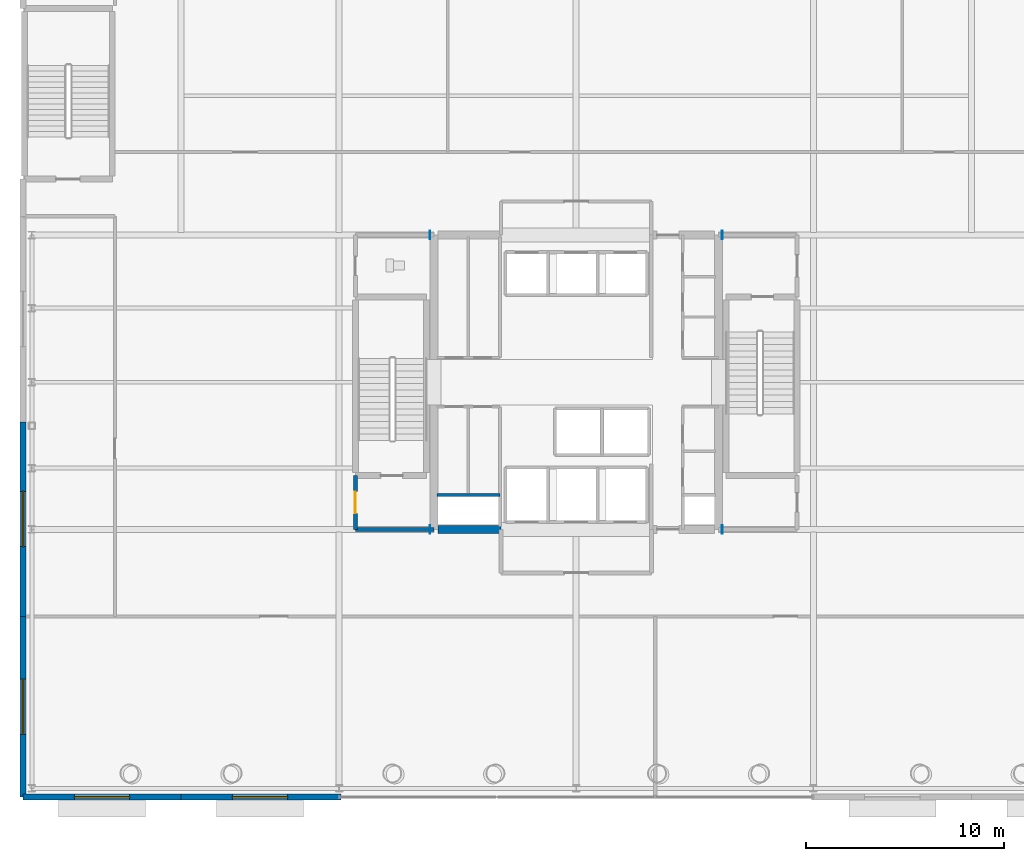
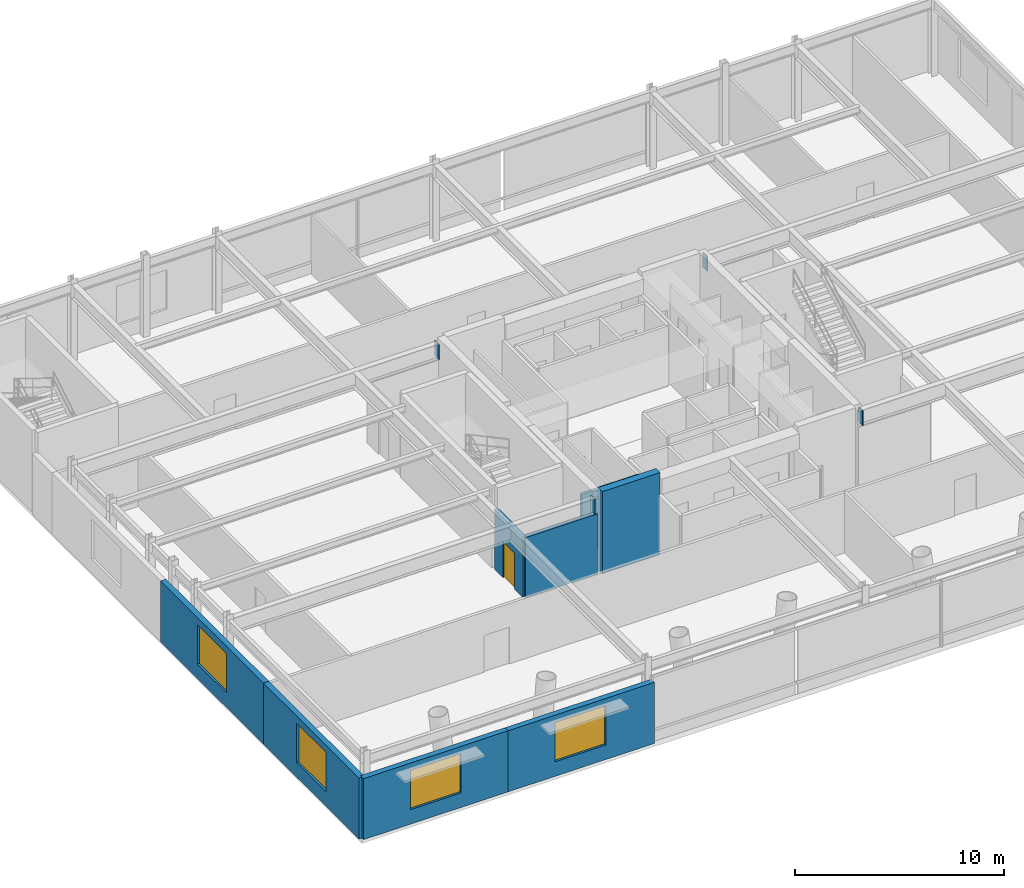
# One storey, part 14 of 22: 8 walls, 4 plates, 4 windows, 1 door, 5 openings.
"""IFC4 building model written with IfcOpenShell, lengths in metres."""

from ifc_helpers import new_model, si_unit, direction, frame, frame_2d, origin, origin_2d, place, context, subcontext, project, spatial, rectangle, extrude, material, layer, layer_set, type_object, element, fill, save


model = new_model("IFC4")

# Units and contexts
model_context = context("Model", 3, precision=1e-05, world=origin(), true_north=direction((0.0, 1.0)))
body_context = subcontext(model_context, "Body", "Model", "MODEL_VIEW")
ifc_project = project(units=[si_unit("LENGTHUNIT", "METRE"), si_unit("AREAUNIT", "SQUARE_METRE"), si_unit("VOLUMEUNIT", "CUBIC_METRE"), si_unit("PLANEANGLEUNIT", "RADIAN"), si_unit("MASSUNIT", "GRAM", prefix="KILO")], contexts=[model_context])

# Site, building, storey
site_placement = place(None, origin())
site = spatial("IfcSite", under=ifc_project, at=site_placement, CompositionType="ELEMENT")
building_placement = place(site_placement, origin())
building = spatial("IfcBuilding", under=site, at=building_placement, Name="Veldorina Hangang Commons", CompositionType="ELEMENT")
storey_placement = place(building_placement, frame((0.0, 0.0, 14.800048828125)))
storey = spatial("IfcBuildingStorey", under=building, at=storey_placement, Name="L03", CompositionType="ELEMENT", Elevation=14.800048828125)

# Plates
ifc_material_1 = material(Name="Steel SM490-TMC", Category="steel")
ifc_layer_1 = layer(ifc_material_1, 0.044921875)
ifc_layer_set_1 = layer_set([ifc_layer_1], Name="Steel SM490-TMC")
plate_type = type_object("IfcPlateType", Name="PL-NODE-45", PredefinedType="SHEET", material=ifc_layer_set_1)
for number, where, z_axis, x_axis, name in (
    (1, (24.60009765625, 16.550048828125, 3.610107421875), (0.0, 0.0, 1.0), (1.0, 0.0, 0.0), "L03 west collector girder GD core embed plate"),
    (2, (39.39990234375, 16.550048828125, 3.610107421875), (0.0, 0.0, 1.0), (1.0, 0.0, 0.0), "L03 east collector girder GD core embed plate"),
    (3, (24.60009765625, 31.449951171875, 3.610107421875), (0.0, 0.0, 1.0), (1.0, 0.0, 0.0), "L03 west collector girder GF core embed plate"),
    (4, (39.39990234375, 31.449951171875, 3.610107421875), (0.0, 0.0, 1.0), (1.0, 0.0, 0.0), "L03 east collector girder GF core embed plate"),
):
    element("IfcPlate", number, at=place(storey_placement, frame(where, z_axis=z_axis, x_axis=x_axis)), inside=storey, type_object=plate_type, Name=name, PredefinedType="SHEET", context=body_context, shape_type="SweptSolid", body=[
        extrude(rectangle(XDim=0.044921875, YDim=0.419921875, at=origin_2d()), origin(), (0.0, 0.0, 1.0), 0.8798828125),
    ])

# Wall
ifc_material_2 = material(Name="Concrete C70/85", Category="concrete")
ifc_layer_2 = layer(ifc_material_2, 0.39990234375)
ifc_layer_set_2 = layer_set([ifc_layer_2], Name="Concrete C70/85")
wall_type_1 = type_object("IfcWallType", Name="CW-RC400-C70", PredefinedType="SHEAR", material=ifc_layer_set_2)
wall_1_placement = place(storey_placement, frame((25.0, 16.550048828125, 0.0), z_axis=(0.0, 0.0, 1.0), x_axis=(1.0, 0.0, 0.0)))
element("IfcWall", 5, at=wall_1_placement, inside=storey, type_object=wall_type_1, Name="L03 south-west core shear wall", PredefinedType="SHEAR", context=body_context, shape_type="SweptSolid", body=[
    extrude(rectangle(XDim=3.199951171875, YDim=0.39990234375, at=frame_2d((1.60009765625, 0.0))), origin(), (0.0, 0.0, 1.0), 4.800048828125),
])

# Wall, opening, window
ifc_material_3 = material(Name="Stone Roman Travertine", Category="masonry")
ifc_layer_3 = layer(ifc_material_3, 0.300048828125)
ifc_layer_set_3 = layer_set([ifc_layer_3], Name="Stone Roman Travertine")
wall_type_2 = type_object("IfcWallType", Name="EW-TRAV-300", PredefinedType="STANDARD", material=ifc_layer_set_3)
wall_2_placement = place(storey_placement, frame((4.0, 3.0, 0.0), z_axis=(0.0, 0.0, 1.0), x_axis=(1.0, 0.0, 0.0)))
wall_2 = element("IfcWall", 6, at=wall_2_placement, inside=storey, type_object=wall_type_2, Name="L03 south podium stone wall S1", PredefinedType="STANDARD", context=body_context, shape_type="SweptSolid", body=[
    extrude(rectangle(XDim=8.0, YDim=0.300048828125, at=frame_2d((4.0, 0.0))), origin(), (0.0, 0.0, 1.0), 3.570068359375),
])
opening_1_placement = place(wall_2_placement, frame((2.60009765625, 0.0, 0.85009765625)))
opening_1 = element("IfcOpeningElement", 7, at=opening_1_placement, cuts=wall_2, Name="Opening W-06", PredefinedType="OPENING", context=body_context, shape_type="SweptSolid", body=[
    extrude(rectangle(XDim=2.800048828125, YDim=2.300048828125, at=frame_2d((1.39990234375, 1.14990234375))), frame((0.0, 0.16015625, 0.0), z_axis=(0.0, -1.0, 0.0), x_axis=(1.0, 0.0, 0.0)), (0.0, 0.0, 1.0), 0.320068359375),
])
ifc_material_4 = material(Name="Glass Acoustic Laminated", Category="glass")
window_type = type_object("IfcWindowType", Name="WIN-POD-2800", PartitioningType="SINGLE_PANEL", PredefinedType="WINDOW", material=ifc_material_4)
window_1_placement = place(opening_1_placement, origin())
window_1 = element("IfcWindow", 8, at=window_1_placement, inside=storey, type_object=window_type, Name="L03 south podium window S1", OverallHeight=2.300048828125, OverallWidth=2.800048828125, PartitioningType="SINGLE_PANEL", PredefinedType="WINDOW", context=body_context, shape_type="SweptSolid", body=[
    extrude(rectangle(XDim=2.800048828125, YDim=2.300048828125, at=frame_2d((1.39990234375, 1.14990234375))), frame((0.0, 0.030029296875, 0.0), z_axis=(0.0, -1.0, 0.0), x_axis=(1.0, 0.0, 0.0)), (0.0, 0.0, 1.0), 0.06005859375),
])
fill(opening_1, window_1)

wall_3_placement = place(storey_placement, frame((12.0, 3.0, 0.0), z_axis=(0.0, 0.0, 1.0), x_axis=(1.0, 0.0, 0.0)))
wall_3 = element("IfcWall", 9, at=wall_3_placement, inside=storey, type_object=wall_type_2, Name="L03 south podium stone wall S2", PredefinedType="STANDARD", context=body_context, shape_type="SweptSolid", body=[
    extrude(rectangle(XDim=8.094970703125, YDim=0.300048828125, at=frame_2d((4.04736328125, 0.0))), origin(), (0.0, 0.0, 1.0), 3.570068359375),
])
opening_2_placement = place(wall_3_placement, frame((2.60009765625, 0.0, 0.85009765625)))
opening_2 = element("IfcOpeningElement", 10, at=opening_2_placement, cuts=wall_3, Name="Opening W-06", PredefinedType="OPENING", context=body_context, shape_type="SweptSolid", body=[
    extrude(rectangle(XDim=2.800048828125, YDim=2.300048828125, at=frame_2d((1.39990234375, 1.14990234375))), frame((0.0, 0.16015625, 0.0), z_axis=(0.0, -1.0, 0.0), x_axis=(1.0, 0.0, 0.0)), (0.0, 0.0, 1.0), 0.320068359375),
])
window_2_placement = place(opening_2_placement, origin())
window_2 = element("IfcWindow", 11, at=window_2_placement, inside=storey, type_object=window_type, Name="L03 south podium window S2", OverallHeight=2.300048828125, OverallWidth=2.800048828125, PartitioningType="SINGLE_PANEL", PredefinedType="WINDOW", context=body_context, shape_type="SweptSolid", body=[
    extrude(rectangle(XDim=2.800048828125, YDim=2.300048828125, at=frame_2d((1.39990234375, 1.14990234375))), frame((0.0, 0.030029296875, 0.0), z_axis=(0.0, -1.0, 0.0), x_axis=(1.0, 0.0, 0.0)), (0.0, 0.0, 1.0), 0.06005859375),
])
fill(opening_2, window_2)

wall_4_placement = place(storey_placement, frame((4.0, 12.14990234375, 0.0), z_axis=(0.0, 0.0, 1.0), x_axis=(0.0, -1.0, 0.0)))
wall_4 = element("IfcWall", 12, at=wall_4_placement, inside=storey, type_object=wall_type_2, Name="L03 west podium stone wall W1", PredefinedType="STANDARD", context=body_context, shape_type="SweptSolid", body=[
    extrude(rectangle(XDim=9.14990234375, YDim=0.300048828125, at=frame_2d((4.574951171875, 0.0))), origin(), (0.0, 0.0, 1.0), 3.570068359375),
])
opening_3_placement = place(wall_4_placement, frame((3.175048828125, 0.0, 0.85009765625)))
opening_3 = element("IfcOpeningElement", 13, at=opening_3_placement, cuts=wall_4, Name="Opening W-06", PredefinedType="OPENING", context=body_context, shape_type="SweptSolid", body=[
    extrude(rectangle(XDim=2.800048828125, YDim=2.300048828125, at=frame_2d((1.39990234375, 1.14990234375))), frame((0.0, 0.16015625, 0.0), z_axis=(0.0, -1.0, 0.0), x_axis=(1.0, 0.0, 0.0)), (0.0, 0.0, 1.0), 0.320068359375),
])
window_3_placement = place(opening_3_placement, origin())
window_3 = element("IfcWindow", 14, at=window_3_placement, inside=storey, type_object=window_type, Name="L03 west podium window W1", OverallHeight=2.300048828125, OverallWidth=2.800048828125, PartitioningType="SINGLE_PANEL", PredefinedType="WINDOW", context=body_context, shape_type="SweptSolid", body=[
    extrude(rectangle(XDim=2.800048828125, YDim=2.300048828125, at=frame_2d((1.39990234375, 1.14990234375))), frame((0.0, 0.030029296875, 0.0), z_axis=(0.0, -1.0, 0.0), x_axis=(1.0, 0.0, 0.0)), (0.0, 0.0, 1.0), 0.06005859375),
])
fill(opening_3, window_3)

wall_5_placement = place(storey_placement, frame((4.0, 22.0, 0.0), z_axis=(0.0, 0.0, 1.0), x_axis=(0.0, -1.0, 0.0)))
wall_5 = element("IfcWall", 15, at=wall_5_placement, inside=storey, type_object=wall_type_2, Name="L03 west podium stone wall W2", PredefinedType="STANDARD", context=body_context, shape_type="SweptSolid", body=[
    extrude(rectangle(XDim=9.85009765625, YDim=0.300048828125, at=frame_2d((4.925048828125, 0.0))), origin(), (0.0, 0.0, 1.0), 3.570068359375),
])
opening_4_placement = place(wall_5_placement, frame((3.52490234375, 0.0, 0.85009765625)))
opening_4 = element("IfcOpeningElement", 16, at=opening_4_placement, cuts=wall_5, Name="Opening W-06", PredefinedType="OPENING", context=body_context, shape_type="SweptSolid", body=[
    extrude(rectangle(XDim=2.800048828125, YDim=2.300048828125, at=frame_2d((1.39990234375, 1.14990234375))), frame((0.0, 0.16015625, 0.0), z_axis=(0.0, -1.0, 0.0), x_axis=(1.0, 0.0, 0.0)), (0.0, 0.0, 1.0), 0.320068359375),
])
window_4_placement = place(opening_4_placement, origin())
window_4 = element("IfcWindow", 17, at=window_4_placement, inside=storey, type_object=window_type, Name="L03 west podium window W2", OverallHeight=2.300048828125, OverallWidth=2.800048828125, PartitioningType="SINGLE_PANEL", PredefinedType="WINDOW", context=body_context, shape_type="SweptSolid", body=[
    extrude(rectangle(XDim=2.800048828125, YDim=2.300048828125, at=frame_2d((1.39990234375, 1.14990234375))), frame((0.0, 0.030029296875, 0.0), z_axis=(0.0, -1.0, 0.0), x_axis=(1.0, 0.0, 0.0)), (0.0, 0.0, 1.0), 0.06005859375),
])
fill(opening_4, window_4)

# Wall
ifc_material_5 = material(Name="Gypsum Fire-Rated Twin Stud Wall", Category="gypsum")
ifc_layer_4 = layer(ifc_material_5, 0.159912109375)
ifc_layer_set_4 = layer_set([ifc_layer_4], Name="Gypsum Fire-Rated Twin Stud Wall")
wall_type_3 = type_object("IfcWallType", Name="WL-FIRE-160", PredefinedType="SOLIDWALL", material=ifc_layer_set_4)
wall_6_placement = place(storey_placement, frame((24.949951171875, 18.300048828125, 0.0), z_axis=(0.0, 0.0, 1.0), x_axis=(1.0, 0.0, 0.0)))
element("IfcWall", 18, at=wall_6_placement, inside=storey, type_object=wall_type_3, Name="L03 Electrical riser wall 035", PredefinedType="SOLIDWALL", context=body_context, shape_type="SweptSolid", body=[
    extrude(rectangle(XDim=3.199951171875, YDim=0.159912109375, at=frame_2d((1.60009765625, 0.0))), origin(), (0.0, 0.0, 1.0), 3.52001953125),
])

# Wall, opening, door
ifc_material_6 = material(Name="Concrete Blockwork Fire Wall C30/37", Category="masonry")
ifc_layer_5 = layer(ifc_material_6, 0.199951171875)
ifc_layer_set_5 = layer_set([ifc_layer_5], Name="Concrete Blockwork Fire Wall C30/37")
wall_type_4 = type_object("IfcWallType", Name="WL-FIRE-200", PredefinedType="SOLIDWALL", material=ifc_layer_set_5)
wall_7_placement = place(storey_placement, frame((20.820068359375, 16.550048828125, 0.0), z_axis=(0.0, 0.0, 1.0), x_axis=(0.0, 1.0, 0.0)))
wall_7 = element("IfcWall", 19, at=wall_7_placement, inside=storey, type_object=wall_type_4, Name="L03 West vestibule outer wall 001", PredefinedType="SOLIDWALL", context=body_context, shape_type="SweptSolid", body=[
    extrude(rectangle(XDim=2.72998046875, YDim=0.199951171875, at=frame_2d((1.364990234375, 0.0))), origin(), (0.0, 0.0, 1.0), 3.52001953125),
])
opening_5_placement = place(wall_7_placement, frame((0.81494140625, 0.0, 0.0)))
opening_5 = element("IfcOpeningElement", 20, at=opening_5_placement, cuts=wall_7, Name="Opening D-08", PredefinedType="OPENING", context=body_context, shape_type="SweptSolid", body=[
    extrude(rectangle(XDim=1.10009765625, YDim=2.10009765625, at=frame_2d((0.550048828125, 1.050048828125))), frame((0.0, 0.10986328125, 0.0), z_axis=(0.0, -1.0, 0.0), x_axis=(1.0, 0.0, 0.0)), (0.0, 0.0, 1.0), 0.219970703125),
])
ifc_material_7 = material(Name="Steel Fire-Rated Smoke Seal", Category="steel")
door_type = type_object("IfcDoorType", Name="DR-FIRE-1100", OperationType="SINGLE_SWING_RIGHT", PredefinedType="DOOR", material=ifc_material_7)
door_placement = place(opening_5_placement, origin())
door = element("IfcDoor", 21, at=door_placement, inside=storey, type_object=door_type, Name="L03 West vestibule west door 001", OperationType="SINGLE_SWING_LEFT", OverallHeight=2.10009765625, OverallWidth=1.10009765625, PredefinedType="DOOR", context=body_context, shape_type="SweptSolid", body=[
    extrude(rectangle(XDim=1.10009765625, YDim=2.10009765625, at=frame_2d((0.550048828125, 1.050048828125))), frame((0.0, 0.02490234375, 0.0), z_axis=(0.0, -1.0, 0.0), x_axis=(1.0, 0.0, 0.0)), (0.0, 0.0, 1.0), 0.050048828125),
])
fill(opening_5, door)

# Wall
wall_8_placement = place(storey_placement, frame((20.820068359375, 16.550048828125, 0.0), z_axis=(0.0, 0.0, 1.0), x_axis=(1.0, 0.0, 0.0)))
element("IfcWall", 22, at=wall_8_placement, inside=storey, type_object=wall_type_4, Name="L03 West vestibule south wall 002", PredefinedType="SOLIDWALL", context=body_context, shape_type="SweptSolid", body=[
    extrude(rectangle(XDim=3.97998046875, YDim=0.199951171875, at=frame_2d((1.989990234375, 0.0))), origin(), (0.0, 0.0, 1.0), 3.52001953125),
])

save(model, "model.ifc")
